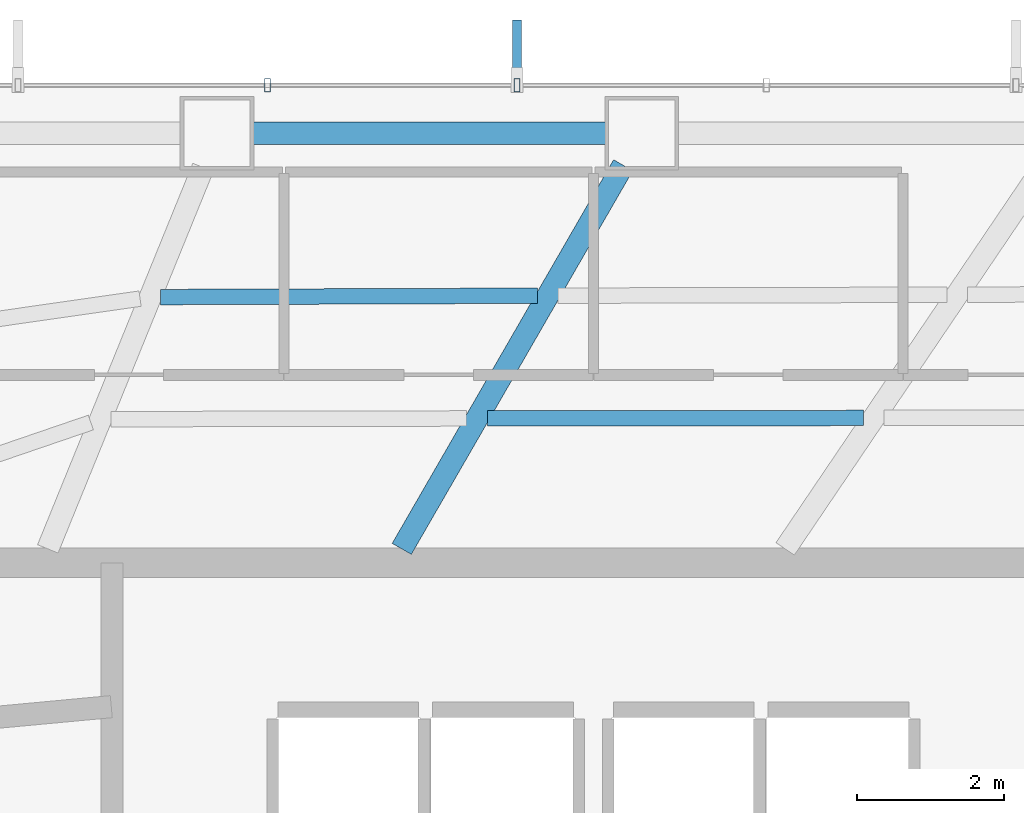
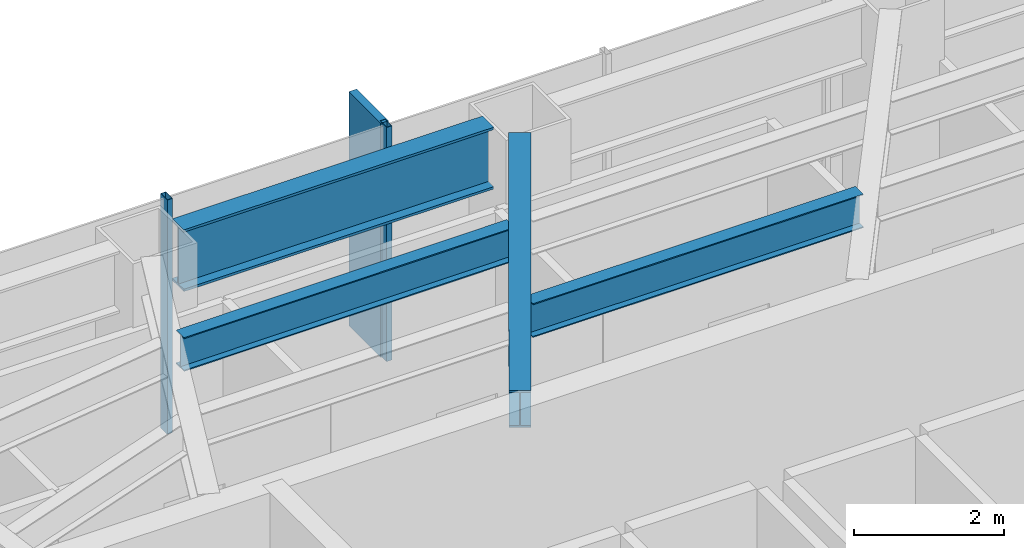
# One storey, part 13 of 25: 4 beams, 3 members, 1 element without a shape of its own.
"""IFC4 building model written with IfcOpenShell, lengths in metres."""

from ifc_helpers import new_model, si_unit, direction, frame, origin, origin_2d, place, context, subcontext, project, spatial, rectangle, hollow_rectangle, i_section, extrude, material, layer, layer_set, material_profile, profile_set, type_object, element, aggregate, save


model = new_model("IFC4")

# Units and contexts
model_context = context("Model", 3, precision=1e-05, world=origin(), true_north=direction((0.0, 1.0)))
body_context = subcontext(model_context, "Body", "Model", "MODEL_VIEW")
ifc_project = project(units=[si_unit("LENGTHUNIT", "METRE"), si_unit("AREAUNIT", "SQUARE_METRE"), si_unit("VOLUMEUNIT", "CUBIC_METRE"), si_unit("PLANEANGLEUNIT", "RADIAN"), si_unit("MASSUNIT", "GRAM", prefix="KILO")], contexts=[model_context])

# Site, building, storey
site_placement = place(None, origin())
site = spatial("IfcSite", under=ifc_project, at=site_placement, CompositionType="ELEMENT")
building_placement = place(site_placement, origin())
building = spatial("IfcBuilding", under=site, at=building_placement, Name="Zarrinselat Tower", CompositionType="ELEMENT")
storey_placement = place(building_placement, frame((0.0, 0.0, 56.10009765625)))
storey = spatial("IfcBuildingStorey", under=building, at=storey_placement, Name="L13", CompositionType="ELEMENT", Elevation=56.10009765625)

# Beams
ifc_material_1 = material(Name="Steel S355J2", Category="steel")
ifc_material_profile_1 = material_profile(ifc_material_1, i_section(OverallWidth=0.300048828125, OverallDepth=0.60009765625, WebThickness=0.015380859375, FlangeThickness=0.030029296875, at=origin_2d()), Name="HEB 600")
ifc_profile_set_1 = profile_set([ifc_material_profile_1], Name="Steel S355J2")
beam_type_1 = type_object("IfcBeamType", Name="BM-HEB600", PredefinedType="BEAM", material=ifc_profile_set_1)
beam_1_placement = place(storey_placement, frame((35.800048828125, 43.639892578125, 3.52001953125), z_axis=(0.49989365747, 0.866086791968, 0.0), x_axis=(-0.866086791968, 0.49989365747, 0.0)))
element("IfcBeam", 1, at=beam_1_placement, inside=storey, type_object=beam_type_1, Name="L13 Radial Primary Girder RG03", PredefinedType="BEAM", context=body_context, shape_type="SweptSolid", body=[
    extrude(i_section(OverallWidth=0.300048828125, OverallDepth=0.60009765625, WebThickness=0.015380859375, FlangeThickness=0.030029296875, at=origin_2d()), origin(), (0.0, 0.0, 1.0), 6.007568359375),
])
ifc_material_2 = material(Name="Steel S460M", Category="steel")
ifc_material_profile_2 = material_profile(ifc_material_2, i_section(OverallWidth=0.302001953125, OverallDepth=1.008056640625, WebThickness=0.02099609375, FlangeThickness=0.0400390625, at=origin_2d()), Name="HEM 1000")
ifc_profile_set_2 = profile_set([ifc_material_profile_2], Name="Steel S460M")
beam_type_2 = type_object("IfcBeamType", Name="BM-HEM1000", PredefinedType="BEAM", material=ifc_profile_set_2)
beam_2_placement = place(storey_placement, frame((33.782470703125, 49.27783203125, 3.31591796875), z_axis=(1.0, 0.0, 0.0), x_axis=(0.0, 1.0, 0.0)))
element("IfcBeam", 2, at=beam_2_placement, inside=storey, type_object=beam_type_2, Name="L13 Perimeter Spandrel Girder SP03", PredefinedType="BEAM", context=body_context, shape_type="SweptSolid", body=[
    extrude(i_section(OverallWidth=0.302001953125, OverallDepth=1.008056640625, WebThickness=0.02099609375, FlangeThickness=0.0400390625, at=origin_2d()), origin(), (0.0, 0.0, 1.0), 4.783935546875),
])
ifc_material_3 = material(Name="Steel S355J2", Category="steel")
ifc_material_profile_3 = material_profile(ifc_material_3, i_section(OverallWidth=0.2099609375, OverallDepth=0.550048828125, WebThickness=0.010986328125, FlangeThickness=0.01708984375, at=origin_2d()), Name="IPE 550")
ifc_profile_set_3 = profile_set([ifc_material_profile_3], Name="Steel S355J2")
beam_type_3 = type_object("IfcBeamType", Name="BM-IPE550", PredefinedType="JOIST", material=ifc_profile_set_3)
beam_3_placement = place(storey_placement, frame((36.961181640625, 45.4091796875, 3.544921875), z_axis=(0.999999283902, 0.001196743997, 0.0), x_axis=(-0.001196743997, 0.999999283902, 0.0)))
element("IfcBeam", 3, at=beam_3_placement, inside=storey, type_object=beam_type_3, Name="L13 Composite Floor Joist 8-2", PredefinedType="JOIST", context=body_context, shape_type="SweptSolid", body=[
    extrude(i_section(OverallWidth=0.2099609375, OverallDepth=0.550048828125, WebThickness=0.010986328125, FlangeThickness=0.01708984375, at=origin_2d()), origin(), (0.0, 0.0, 1.0), 5.10009765625),
])
beam_4_placement = place(storey_placement, frame((32.529296875, 47.0546875, 3.544921875), z_axis=(0.99999324056, 0.003676796845, 0.0), x_axis=(-0.003676796845, 0.99999324056, 0.0)))
element("IfcBeam", 4, at=beam_4_placement, inside=storey, type_object=beam_type_3, Name="L13 Composite Floor Joist 9-1", PredefinedType="JOIST", context=body_context, shape_type="SweptSolid", body=[
    extrude(i_section(OverallWidth=0.2099609375, OverallDepth=0.550048828125, WebThickness=0.010986328125, FlangeThickness=0.01708984375, at=origin_2d()), origin(), (0.0, 0.0, 1.0), 5.11279296875),
])

# Curtain wall, members
ifc_material_4 = material(Name="Extruded Aluminium Alloy EN AW-6063 T6", Category="aluminium")
ifc_layer = layer(ifc_material_4, 0.18505859375)
ifc_layer_set = layer_set([ifc_layer], Name="Extruded Aluminium Alloy EN AW-6063 T6")
curtain_wall_type = type_object("IfcCurtainWallType", Name="CWS-OFF", PredefinedType="NOTDEFINED", material=ifc_layer_set)
curtain_wall_placement = place(storey_placement, origin())
curtain_wall = element("IfcCurtainWall", 5, at=curtain_wall_placement, inside=storey, type_object=curtain_wall_type, Name="L13 Unitised Curtain Wall CW-L13-E01", PredefinedType="NOTDEFINED")
ifc_material_5 = material(Name="Extruded Aluminium Alloy EN AW-6063 T6", Category="aluminium")
ifc_material_profile_4 = material_profile(ifc_material_5, hollow_rectangle(XDim=0.080078125, YDim=0.179931640625, WallThickness=0.0048828125, at=origin_2d()), Name="RHS 180x80x5")
ifc_profile_set_4 = profile_set([ifc_material_profile_4], Name="Extruded Aluminium Alloy EN AW-6063 T6")
member_type_1 = type_object("IfcMemberType", Name="MEM-CW-MUL", PredefinedType="MULLION", material=ifc_profile_set_4)
member_1_placement = place(storey_placement, frame((37.362548828125, 49.927734375, 0.0), z_axis=(0.0, 0.0, 1.0), x_axis=(-1.0, 0.0, 0.0)))
member_1 = element("IfcMember", 6, at=member_1_placement, type_object=member_type_1, Name="CW-L13-E01 Mullion 5", PredefinedType="MULLION", context=body_context, shape_type="SweptSolid", body=[
    extrude(hollow_rectangle(XDim=0.080078125, YDim=0.179931640625, WallThickness=0.0048828125, at=origin_2d()), origin(), (0.0, 0.0, 1.0), 3.81982421875),
])
member_2_placement = place(storey_placement, frame((33.978759765625, 49.927734375, 0.0), z_axis=(0.0, 0.0, 1.0), x_axis=(-1.0, 0.0, 0.0)))
member_2 = element("IfcMember", 7, at=member_2_placement, type_object=member_type_1, Name="CW-L13-E01 Mullion 6", PredefinedType="MULLION", context=body_context, shape_type="SweptSolid", body=[
    extrude(hollow_rectangle(XDim=0.080078125, YDim=0.179931640625, WallThickness=0.0048828125, at=origin_2d()), origin(), (0.0, 0.0, 1.0), 3.81982421875),
])
ifc_material_6 = material(Name="Honed Cream Travertine Stone", Category="masonry")
ifc_material_profile_5 = material_profile(ifc_material_6, rectangle(XDim=0.1201171875, YDim=0.85009765625, at=origin_2d()), Name="FIN 850x120")
ifc_profile_set_5 = profile_set([ifc_material_profile_5], Name="Honed Cream Travertine Stone")
member_type_2 = type_object("IfcMemberType", Name="MEM-STONE-FIN", PredefinedType="USERDEFINED", material=ifc_profile_set_5)
member_3_placement = place(storey_placement, frame((37.362548828125, 50.3876953125, 0.0), z_axis=(0.0, 0.0, 1.0), x_axis=(1.0, 0.0, 0.0)))
member_3 = element("IfcMember", 8, at=member_3_placement, type_object=member_type_2, Name="L13 Stone Shading Fin CW-L13-E01-05", ObjectType="FIN", PredefinedType="USERDEFINED", context=body_context, shape_type="SweptSolid", body=[
    extrude(rectangle(XDim=0.1201171875, YDim=0.85009765625, at=origin_2d()), origin(), (0.0, 0.0, 1.0), 3.81982421875),
])
aggregate(curtain_wall, [member_1, member_3, member_2])

save(model, "model.ifc")
